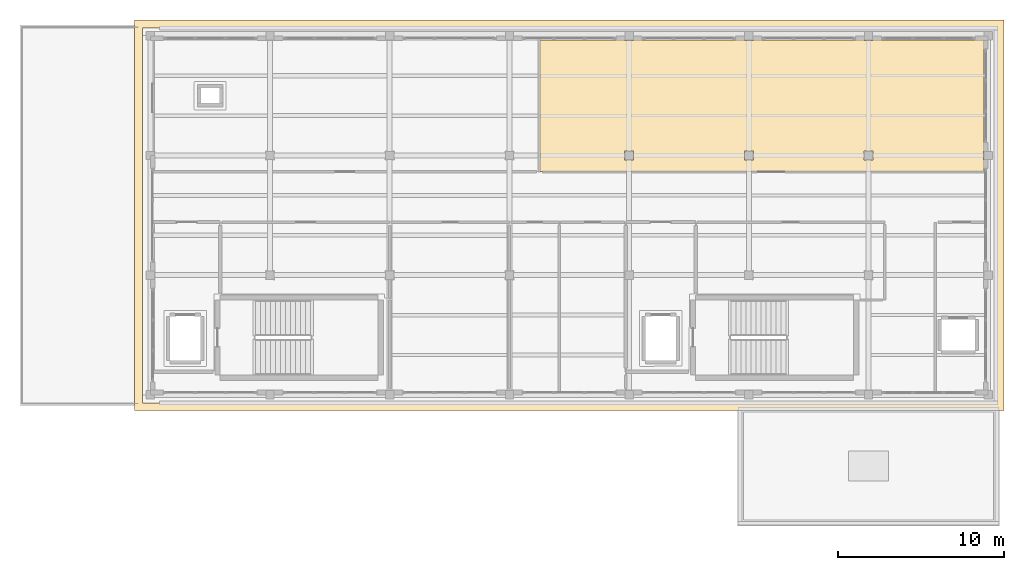
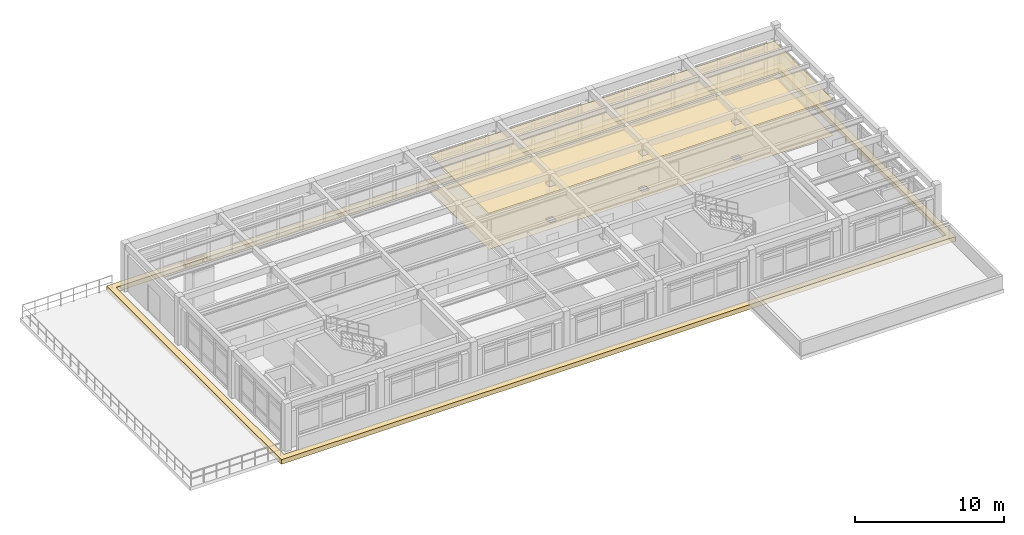
# One storey, part 15 of 15: 3 coverings.
"""IFC4 building model written with IfcOpenShell, lengths in metres."""

from ifc_helpers import new_model, si_unit, direction, frame, origin, place, context, subcontext, project, spatial, polyline, outline, extrude, material, layer, layer_set, type_object, element, save


model = new_model("IFC4")

# Units and contexts
model_context = context("Model", 3, precision=1e-05, world=origin(), true_north=direction((0.0, 1.0)))
body_context = subcontext(model_context, "Body", "Model", "MODEL_VIEW")
ifc_project = project(units=[si_unit("LENGTHUNIT", "METRE"), si_unit("AREAUNIT", "SQUARE_METRE"), si_unit("VOLUMEUNIT", "CUBIC_METRE"), si_unit("PLANEANGLEUNIT", "RADIAN"), si_unit("MASSUNIT", "GRAM", prefix="KILO")], contexts=[model_context])

# Site, building, storey
site_placement = place(None, origin())
site = spatial("IfcSite", under=ifc_project, at=site_placement, CompositionType="ELEMENT")
building_placement = place(site_placement, origin())
building = spatial("IfcBuilding", under=site, at=building_placement, Name="Solenvale Faculty of Natural Sciences", CompositionType="ELEMENT")
storey_placement = place(building_placement, frame((0.0, 0.0, 48.0)))
storey = spatial("IfcBuildingStorey", under=building, at=storey_placement, Name="L11", CompositionType="ELEMENT", Elevation=48.0)

# Coverings
ifc_material_1 = material(Name="Acoustic mineral-timber ceiling", Category="wood")
ifc_layer_1 = layer(ifc_material_1, 0.02490234375)
ifc_layer_set_1 = layer_set([ifc_layer_1], Name="Acoustic mineral-timber ceiling")
covering_type_1 = type_object("IfcCoveringType", Name="COV-CEIL-AC25", PredefinedType="CEILING", material=ifc_layer_set_1)
covering_1_placement = place(storey_placement, frame((0.0, 0.0, 2.93505859375)))
element("IfcCovering", 1, at=covering_1_placement, inside=storey, type_object=covering_type_1, Name="L11 Atmospheric Observatory Laboratory Acoustic Ceiling", PredefinedType="CEILING", context=body_context, shape_type="SweptSolid", body=[
    extrude(outline(polyline([(129.294921875, 114.9599609375), (129.3359375, 114.925048828125), (129.865966796875, 114.925048828125), (129.905029296875, 114.9599609375), (136.4951171875, 114.9599609375), (136.535888671875, 114.925048828125), (137.06591796875, 114.925048828125), (137.10498046875, 114.9599609375), (143.695068359375, 114.9599609375), (143.736083984375, 114.925048828125), (144.26611328125, 114.925048828125), (144.304931640625, 114.9599609375), (150.904052734375, 114.958984375), (150.9599609375, 114.89501953125), (150.9599609375, 108.304931640625), (150.925048828125, 108.263916015625), (150.925048828125, 107.73388671875), (150.9599609375, 107.695068359375), (150.9580078125, 107.05908203125), (150.929931640625, 107.0400390625), (124.2529296875, 107.044921875), (124.239990234375, 107.070068359375), (124.2451171875, 114.947021484375), (124.27001953125, 114.9599609375), (129.294921875, 114.9599609375)]), holes=[polyline([(144.263916015625, 107.72509765625), (144.27490234375, 107.736083984375), (144.27197265625, 108.27197265625), (143.72802734375, 108.27197265625), (143.72802734375, 107.72802734375), (144.263916015625, 107.72509765625)]), polyline([(137.06396484375, 107.72509765625), (137.074951171875, 107.736083984375), (137.072021484375, 108.27197265625), (136.528076171875, 108.27197265625), (136.528076171875, 107.72802734375), (137.06396484375, 107.72509765625)]), polyline([(129.864013671875, 107.72509765625), (129.875, 107.736083984375), (129.8720703125, 108.27197265625), (129.327880859375, 108.27197265625), (129.327880859375, 107.72802734375), (129.864013671875, 107.72509765625)])]), origin(), (0.0, 0.0, 1.0), 0.02490234375),
])
ifc_material_2 = material(Name="Seamless laboratory vinyl flooring")
ifc_layer_2 = layer(ifc_material_2, 0.008056640625)
ifc_layer_set_2 = layer_set([ifc_layer_2], Name="Seamless laboratory vinyl flooring")
covering_type_2 = type_object("IfcCoveringType", Name="COV-FLR-VNL08", PredefinedType="FLOORING", material=ifc_layer_set_2)
covering_2_placement = place(storey_placement, origin())
element("IfcCovering", 2, at=covering_2_placement, inside=storey, type_object=covering_type_2, Name="L11 Atmospheric Observatory Laboratory Floor Finish", PredefinedType="FLOORING", context=body_context, shape_type="SweptSolid", body=[
    extrude(outline(polyline([(129.294921875, 114.9599609375), (129.3359375, 114.925048828125), (129.865966796875, 114.925048828125), (129.905029296875, 114.9599609375), (136.4951171875, 114.9599609375), (136.535888671875, 114.925048828125), (137.06591796875, 114.925048828125), (137.10498046875, 114.9599609375), (143.695068359375, 114.9599609375), (143.736083984375, 114.925048828125), (144.26611328125, 114.925048828125), (144.304931640625, 114.9599609375), (150.904052734375, 114.958984375), (150.9599609375, 114.89501953125), (150.9599609375, 108.304931640625), (150.925048828125, 108.263916015625), (150.925048828125, 107.73388671875), (150.9599609375, 107.695068359375), (150.9580078125, 107.05908203125), (150.929931640625, 107.0400390625), (124.2529296875, 107.044921875), (124.239990234375, 107.070068359375), (124.2451171875, 114.947021484375), (124.27001953125, 114.9599609375), (129.294921875, 114.9599609375)]), holes=[polyline([(144.263916015625, 107.72509765625), (144.27490234375, 107.736083984375), (144.27197265625, 108.27197265625), (143.72802734375, 108.27197265625), (143.72802734375, 107.72802734375), (144.263916015625, 107.72509765625)]), polyline([(137.06396484375, 107.72509765625), (137.074951171875, 107.736083984375), (137.072021484375, 108.27197265625), (136.528076171875, 108.27197265625), (136.528076171875, 107.72802734375), (137.06396484375, 107.72509765625)]), polyline([(129.864013671875, 107.72509765625), (129.875, 107.736083984375), (129.8720703125, 108.27197265625), (129.327880859375, 108.27197265625), (129.327880859375, 107.72802734375), (129.864013671875, 107.72509765625)])]), origin(), (0.0, 0.0, 1.0), 0.008056640625),
])
ifc_material_3 = material(Name="Insulated EPDM roofing membrane")
ifc_layer_3 = layer(ifc_material_3, 0.06494140625)
ifc_layer_set_3 = layer_set([ifc_layer_3], Name="Insulated EPDM roofing membrane")
covering_type_3 = type_object("IfcCoveringType", Name="COV-ROOF-MEMB", PredefinedType="ROOFING", material=ifc_layer_set_3)
covering_3_placement = place(storey_placement, frame((0.0, 0.0, -0.340087890625)))
element("IfcCovering", 3, at=covering_3_placement, inside=storey, type_object=covering_type_3, Name="L11 Projecting Horizontal Bronze Concrete Tray Ledge 1", PredefinedType="CLADDING", context=body_context, shape_type="SweptSolid", body=[
    extrude(outline(polyline([(99.85009765625, 116.1298828125), (99.85595703125, 116.14404296875), (99.8701171875, 116.14990234375), (152.137939453125, 116.14794921875), (152.14990234375, 116.1298828125), (152.14794921875, 92.662109375), (152.1298828125, 92.64990234375), (99.862060546875, 92.652099609375), (99.85009765625, 92.669921875), (99.85009765625, 116.1298828125)]), holes=[polyline([(100.320068359375, 93.1201171875), (151.679931640625, 93.1201171875), (151.679931640625, 115.679931640625), (100.320068359375, 115.679931640625), (100.320068359375, 93.1201171875)])]), origin(), (0.0, 0.0, 1.0), 0.380126953125),
])

save(model, "model.ifc")
